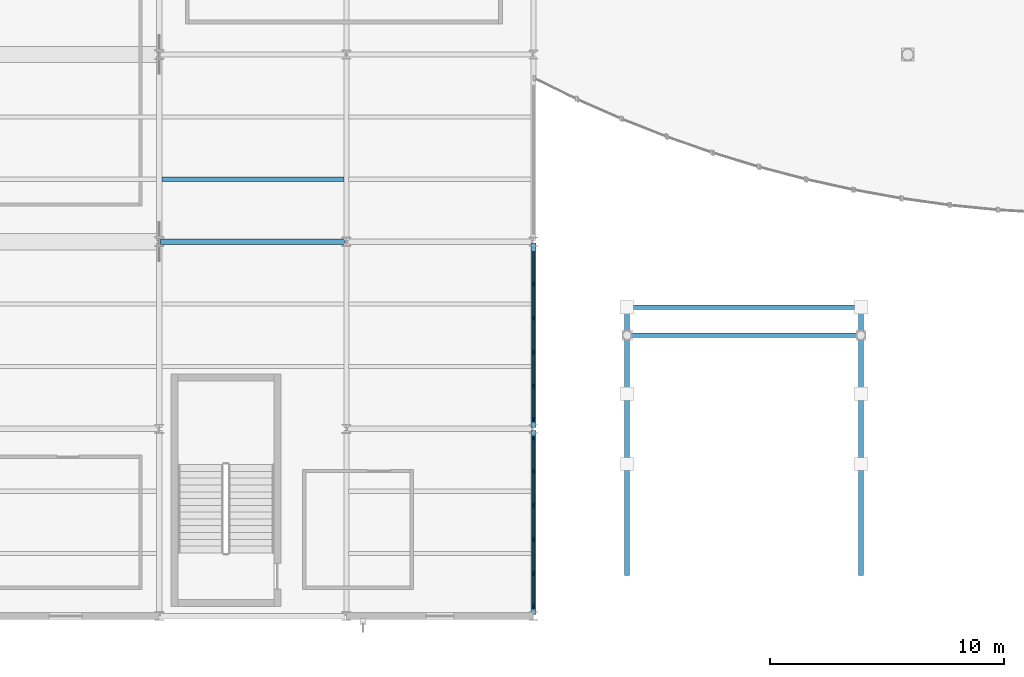
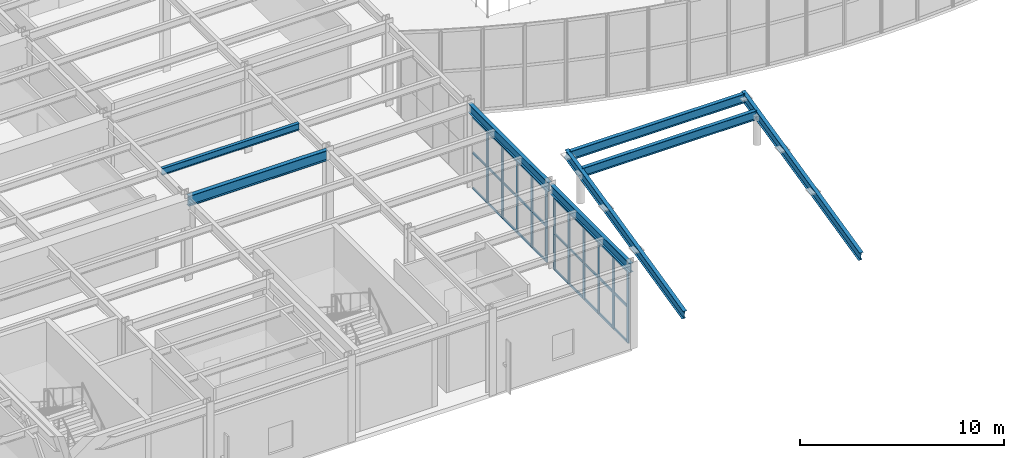
# One storey, part 22 of 77: 17 members, 8 beams, 2 elements without a shape of their own.
"""IFC4 building model written with IfcOpenShell, lengths in metres."""

from ifc_helpers import new_model, si_unit, direction, frame, origin, origin_2d, place, context, subcontext, project, spatial, rectangle, i_section, extrude, material, material_profile, profile_set, type_object, element, aggregate, save


model = new_model("IFC4")

# Units and contexts
model_context = context("Model", 3, precision=1e-05, world=origin(), true_north=direction((0.0, 1.0)))
body_context = subcontext(model_context, "Body", "Model", "MODEL_VIEW")
ifc_project = project(units=[si_unit("LENGTHUNIT", "METRE"), si_unit("AREAUNIT", "SQUARE_METRE"), si_unit("VOLUMEUNIT", "CUBIC_METRE"), si_unit("PLANEANGLEUNIT", "RADIAN"), si_unit("MASSUNIT", "GRAM", prefix="KILO")], contexts=[model_context])

# Site, building, storey
site_placement = place(None, origin())
site = spatial("IfcSite", under=ifc_project, at=site_placement, CompositionType="ELEMENT")
building_placement = place(site_placement, origin())
building = spatial("IfcBuilding", under=site, at=building_placement, Name="Drelvath Fold Interchange", CompositionType="ELEMENT")
storey_placement = place(building_placement, frame((0.0, 0.0, 6.0)))
storey = spatial("IfcBuildingStorey", under=building, at=storey_placement, Name="L01", CompositionType="ELEMENT", Elevation=6.0)

# Beams
ifc_material_1 = material(Name="Steel ASTM A992 Grade 50", Category="steel")
ifc_material_profile_1 = material_profile(ifc_material_1, i_section(OverallWidth=0.177978515625, OverallDepth=0.403076171875, WebThickness=0.007568359375, FlangeThickness=0.010986328125, at=origin_2d()), Name="W16X36")
ifc_profile_set_1 = profile_set([ifc_material_profile_1], Name="Steel ASTM A992 Grade 50")
beam_type_1 = type_object("IfcBeamType", Name="BM-W16X36", PredefinedType="JOIST", material=ifc_profile_set_1)
beam_1_placement = place(storey_placement, frame((36.113037109375, 21.6669921875, 4.748046875), z_axis=(1.0, 0.0, 0.0), x_axis=(0.0, 1.0, 0.0)))
element("IfcBeam", 1, at=beam_1_placement, inside=storey, type_object=beam_type_1, Name="L01 Secondary floor joist BM-W16X36", PredefinedType="JOIST", context=body_context, shape_type="SweptSolid", body=[
    extrude(i_section(OverallWidth=0.177978515625, OverallDepth=0.403076171875, WebThickness=0.007568359375, FlangeThickness=0.010986328125, at=origin_2d()), origin(), (0.0, 0.0, 1.0), 7.783935546875),
])
ifc_material_profile_2 = material_profile(ifc_material_1, i_section(OverallWidth=0.2099609375, OverallDepth=0.537109375, WebThickness=0.010986328125, FlangeThickness=0.017333984375, at=origin_2d()), Name="W21X68")
ifc_profile_set_2 = profile_set([ifc_material_profile_2], Name="Steel ASTM A992 Grade 50")
beam_type_2 = type_object("IfcBeamType", Name="BM-W21X68", PredefinedType="SPANDREL", material=ifc_profile_set_2)
for number, where, z_axis, x_axis, name in (
    (2, (52.0, 3.06005859375, 4.680908203125), (0.0, 1.0, 0.0), (-1.0, 0.0, 0.0), "L01 Primary Y girder BM-W21X68"),
    (3, (52.0, 11.06005859375, 4.680908203125), (0.0, 1.0, 0.0), (-1.0, 0.0, 0.0), "L01 Primary Y girder BM-W21X68"),
):
    element("IfcBeam", number, at=place(storey_placement, frame(where, z_axis=z_axis, x_axis=x_axis)), inside=storey, type_object=beam_type_2, Name=name, PredefinedType="SPANDREL", context=body_context, shape_type="SweptSolid", body=[
        extrude(i_section(OverallWidth=0.2099609375, OverallDepth=0.537109375, WebThickness=0.010986328125, FlangeThickness=0.017333984375, at=origin_2d()), origin(), (0.0, 0.0, 1.0), 7.8798828125),
    ])
for number, where, z_axis, x_axis, name in (
    (4, (56.0, 4.800048828125, -0.587890625), (0.0, 0.9743711452, 0.224946374502), (-1.0, 0.0, 0.0), "Forecourt entrance canopy rafter"),
    (5, (66.0, 4.800048828125, -0.587890625), (0.0, 0.9743711452, 0.224946374502), (-1.0, 0.0, 0.0), "Forecourt entrance canopy rafter"),
):
    element("IfcBeam", number, at=place(storey_placement, frame(where, z_axis=z_axis, x_axis=x_axis)), inside=storey, type_object=beam_type_2, Name=name, PredefinedType="SPANDREL", context=body_context, shape_type="SweptSolid", body=[
        extrude(i_section(OverallWidth=0.2099609375, OverallDepth=0.537109375, WebThickness=0.010986328125, FlangeThickness=0.017333984375, at=origin_2d()), origin(), (0.0, 0.0, 1.0), 11.905029296875),
    ])
for number, where, z_axis, x_axis, name in (
    (6, (56.050048828125, 15.0, 1.76708984375), (1.0, 0.0, 0.0), (0.0, 1.0, 0.0), "L01 Forecourt canopy tie beam BM-W21X68"),
    (7, (56.050048828125, 16.199951171875, 2.04296875), (1.0, 0.0, 0.0), (0.0, 1.0, 0.0), "L01 Forecourt canopy north eave beam BM-W21X68"),
):
    element("IfcBeam", number, at=place(storey_placement, frame(where, z_axis=z_axis, x_axis=x_axis)), inside=storey, type_object=beam_type_2, Name=name, PredefinedType="SPANDREL", context=body_context, shape_type="SweptSolid", body=[
        extrude(i_section(OverallWidth=0.2099609375, OverallDepth=0.537109375, WebThickness=0.010986328125, FlangeThickness=0.017333984375, at=origin_2d()), origin(), (0.0, 0.0, 1.0), 9.89990234375),
    ])
ifc_material_profile_3 = material_profile(ifc_material_1, i_section(OverallWidth=0.22998046875, OverallDepth=0.616943359375, WebThickness=0.01318359375, FlangeThickness=0.022216796875, at=origin_2d()), Name="W24X94")
ifc_profile_set_3 = profile_set([ifc_material_profile_3], Name="Steel ASTM A992 Grade 50")
beam_type_3 = type_object("IfcBeamType", Name="BM-W24X94", PredefinedType="BEAM", material=ifc_profile_set_3)
beam_2_placement = place(storey_placement, frame((36.06005859375, 19.0, 4.64111328125), z_axis=(1.0, 0.0, 0.0), x_axis=(0.0, 1.0, 0.0)))
element("IfcBeam", 8, at=beam_2_placement, inside=storey, type_object=beam_type_3, Name="L01 Primary X girder BM-W24X94", PredefinedType="BEAM", context=body_context, shape_type="SweptSolid", body=[
    extrude(i_section(OverallWidth=0.22998046875, OverallDepth=0.616943359375, WebThickness=0.01318359375, FlangeThickness=0.022216796875, at=origin_2d()), origin(), (0.0, 0.0, 1.0), 7.8798828125),
])

# Curtain wall, members
ifc_material_2 = material(Name="Anodized Aluminium 6063-T6", Category="aluminium")
curtain_wall_type = type_object("IfcCurtainWallType", Name="CW-OPS-UPP", PredefinedType="USERDEFINED", material=ifc_material_2)
curtain_wall_1_placement = place(storey_placement, origin())
curtain_wall_1 = element("IfcCurtainWall", 9, at=curtain_wall_1_placement, inside=storey, type_object=curtain_wall_type, Name="Curtain wall CW-V5-L01-E3", ObjectType="UNITISED CURTAIN WALL", PredefinedType="USERDEFINED")
ifc_material_profile_4 = material_profile(ifc_material_2, rectangle(XDim=0.06005859375, YDim=0.175048828125, at=origin_2d()), Name="AL-M 60x175")
ifc_profile_set_4 = profile_set([ifc_material_profile_4], Name="Anodized Aluminium 6063-T6")
member_type_1 = type_object("IfcMemberType", Name="ML-175", PredefinedType="MULLION", material=ifc_profile_set_4)
member_1_placement = place(storey_placement, frame((52.0, 3.39990234375, 0.0), z_axis=(0.0, 0.0, 1.0), x_axis=(1.0, 0.0, 0.0)))
member_1 = element("IfcMember", 10, at=member_1_placement, type_object=member_type_1, Name="CW-V5-L01-E3 mullion 0", PredefinedType="MULLION", context=body_context, shape_type="SweptSolid", body=[
    extrude(rectangle(XDim=0.06005859375, YDim=0.175048828125, at=origin_2d()), origin(), (0.0, 0.0, 1.0), 4.300048828125),
])
member_2_placement = place(storey_placement, frame((52.0, 4.81591796875, 0.0), z_axis=(0.0, 0.0, 1.0), x_axis=(1.0, 0.0, 0.0)))
member_2 = element("IfcMember", 11, at=member_2_placement, type_object=member_type_1, Name="CW-V5-L01-E3 mullion 1", PredefinedType="MULLION", context=body_context, shape_type="SweptSolid", body=[
    extrude(rectangle(XDim=0.06005859375, YDim=0.175048828125, at=origin_2d()), origin(), (0.0, 0.0, 1.0), 4.300048828125),
])
member_3_placement = place(storey_placement, frame((52.0, 6.27197265625, 0.0), z_axis=(0.0, 0.0, 1.0), x_axis=(1.0, 0.0, 0.0)))
member_3 = element("IfcMember", 12, at=member_3_placement, type_object=member_type_1, Name="CW-V5-L01-E3 mullion 2", PredefinedType="MULLION", context=body_context, shape_type="SweptSolid", body=[
    extrude(rectangle(XDim=0.06005859375, YDim=0.175048828125, at=origin_2d()), origin(), (0.0, 0.0, 1.0), 4.300048828125),
])
member_4_placement = place(storey_placement, frame((52.0, 7.72802734375, 0.0), z_axis=(0.0, 0.0, 1.0), x_axis=(1.0, 0.0, 0.0)))
member_4 = element("IfcMember", 13, at=member_4_placement, type_object=member_type_1, Name="CW-V5-L01-E3 mullion 3", PredefinedType="MULLION", context=body_context, shape_type="SweptSolid", body=[
    extrude(rectangle(XDim=0.06005859375, YDim=0.175048828125, at=origin_2d()), origin(), (0.0, 0.0, 1.0), 4.300048828125),
])
member_5_placement = place(storey_placement, frame((52.0, 9.18408203125, 0.0), z_axis=(0.0, 0.0, 1.0), x_axis=(1.0, 0.0, 0.0)))
member_5 = element("IfcMember", 14, at=member_5_placement, type_object=member_type_1, Name="CW-V5-L01-E3 mullion 4", PredefinedType="MULLION", context=body_context, shape_type="SweptSolid", body=[
    extrude(rectangle(XDim=0.06005859375, YDim=0.175048828125, at=origin_2d()), origin(), (0.0, 0.0, 1.0), 4.300048828125),
])
member_6_placement = place(storey_placement, frame((52.0, 10.60009765625, 0.0), z_axis=(0.0, 0.0, 1.0), x_axis=(1.0, 0.0, 0.0)))
member_6 = element("IfcMember", 15, at=member_6_placement, type_object=member_type_1, Name="CW-V5-L01-E3 mullion 5", PredefinedType="MULLION", context=body_context, shape_type="SweptSolid", body=[
    extrude(rectangle(XDim=0.06005859375, YDim=0.175048828125, at=origin_2d()), origin(), (0.0, 0.0, 1.0), 4.300048828125),
])

curtain_wall_2_placement = place(storey_placement, origin())
curtain_wall_2 = element("IfcCurtainWall", 16, at=curtain_wall_2_placement, inside=storey, type_object=curtain_wall_type, Name="Curtain wall CW-V5-L01-E11", ObjectType="UNITISED CURTAIN WALL", PredefinedType="USERDEFINED")
member_7_placement = place(storey_placement, frame((52.0, 11.39990234375, 0.0), z_axis=(0.0, 0.0, 1.0), x_axis=(1.0, 0.0, 0.0)))
member_7 = element("IfcMember", 17, at=member_7_placement, type_object=member_type_1, Name="CW-V5-L01-E11 mullion 0", PredefinedType="MULLION", context=body_context, shape_type="SweptSolid", body=[
    extrude(rectangle(XDim=0.06005859375, YDim=0.175048828125, at=origin_2d()), origin(), (0.0, 0.0, 1.0), 4.300048828125),
])
member_8_placement = place(storey_placement, frame((52.0, 12.81591796875, 0.0), z_axis=(0.0, 0.0, 1.0), x_axis=(1.0, 0.0, 0.0)))
member_8 = element("IfcMember", 18, at=member_8_placement, type_object=member_type_1, Name="CW-V5-L01-E11 mullion 1", PredefinedType="MULLION", context=body_context, shape_type="SweptSolid", body=[
    extrude(rectangle(XDim=0.06005859375, YDim=0.175048828125, at=origin_2d()), origin(), (0.0, 0.0, 1.0), 4.300048828125),
])
member_9_placement = place(storey_placement, frame((52.0, 14.27197265625, 0.0), z_axis=(0.0, 0.0, 1.0), x_axis=(1.0, 0.0, 0.0)))
member_9 = element("IfcMember", 19, at=member_9_placement, type_object=member_type_1, Name="CW-V5-L01-E11 mullion 2", PredefinedType="MULLION", context=body_context, shape_type="SweptSolid", body=[
    extrude(rectangle(XDim=0.06005859375, YDim=0.175048828125, at=origin_2d()), origin(), (0.0, 0.0, 1.0), 4.300048828125),
])
member_10_placement = place(storey_placement, frame((52.0, 15.72802734375, 0.0), z_axis=(0.0, 0.0, 1.0), x_axis=(1.0, 0.0, 0.0)))
member_10 = element("IfcMember", 20, at=member_10_placement, type_object=member_type_1, Name="CW-V5-L01-E11 mullion 3", PredefinedType="MULLION", context=body_context, shape_type="SweptSolid", body=[
    extrude(rectangle(XDim=0.06005859375, YDim=0.175048828125, at=origin_2d()), origin(), (0.0, 0.0, 1.0), 4.300048828125),
])
member_11_placement = place(storey_placement, frame((52.0, 17.18408203125, 0.0), z_axis=(0.0, 0.0, 1.0), x_axis=(1.0, 0.0, 0.0)))
member_11 = element("IfcMember", 21, at=member_11_placement, type_object=member_type_1, Name="CW-V5-L01-E11 mullion 4", PredefinedType="MULLION", context=body_context, shape_type="SweptSolid", body=[
    extrude(rectangle(XDim=0.06005859375, YDim=0.175048828125, at=origin_2d()), origin(), (0.0, 0.0, 1.0), 4.300048828125),
])

# Member
ifc_material_profile_5 = material_profile(ifc_material_2, rectangle(XDim=0.06005859375, YDim=0.139892578125, at=origin_2d()), Name="AL-T 60x140")
ifc_profile_set_5 = profile_set([ifc_material_profile_5], Name="Anodized Aluminium 6063-T6")
member_type_2 = type_object("IfcMemberType", Name="TR-140", PredefinedType="USERDEFINED", material=ifc_profile_set_5)
member_12_placement = place(storey_placement, frame((52.0, 3.39990234375, 0.030029296875), z_axis=(0.0, 1.0, 0.0), x_axis=(-1.0, 0.0, 0.0)))
member_12 = element("IfcMember", 22, at=member_12_placement, type_object=member_type_2, Name="CW-V5-L01-E3 transom 0", ObjectType="TRANSOM", PredefinedType="USERDEFINED", context=body_context, shape_type="SweptSolid", body=[
    extrude(rectangle(XDim=0.06005859375, YDim=0.139892578125, at=origin_2d()), origin(), (0.0, 0.0, 1.0), 7.2001953125),
])

member_13_placement = place(storey_placement, frame((52.0, 3.39990234375, 2.14990234375), z_axis=(0.0, 1.0, 0.0), x_axis=(-1.0, 0.0, 0.0)))
member_13 = element("IfcMember", 23, at=member_13_placement, type_object=member_type_2, Name="CW-V5-L01-E3 transom 1", ObjectType="TRANSOM", PredefinedType="USERDEFINED", context=body_context, shape_type="SweptSolid", body=[
    extrude(rectangle(XDim=0.06005859375, YDim=0.139892578125, at=origin_2d()), origin(), (0.0, 0.0, 1.0), 7.2001953125),
])

member_14_placement = place(storey_placement, frame((52.0, 3.39990234375, 4.27001953125), z_axis=(0.0, 1.0, 0.0), x_axis=(-1.0, 0.0, 0.0)))
member_14 = element("IfcMember", 24, at=member_14_placement, type_object=member_type_2, Name="CW-V5-L01-E3 transom 2", ObjectType="TRANSOM", PredefinedType="USERDEFINED", context=body_context, shape_type="SweptSolid", body=[
    extrude(rectangle(XDim=0.06005859375, YDim=0.139892578125, at=origin_2d()), origin(), (0.0, 0.0, 1.0), 7.2001953125),
])

aggregate(curtain_wall_1, [member_1, member_2, member_3, member_4, member_5, member_6, member_12, member_13, member_14])

member_15_placement = place(storey_placement, frame((52.0, 11.39990234375, 0.030029296875), z_axis=(0.0, 1.0, 0.0), x_axis=(-1.0, 0.0, 0.0)))
member_15 = element("IfcMember", 25, at=member_15_placement, type_object=member_type_2, Name="CW-V5-L01-E11 transom 0", ObjectType="TRANSOM", PredefinedType="USERDEFINED", context=body_context, shape_type="SweptSolid", body=[
    extrude(rectangle(XDim=0.06005859375, YDim=0.139892578125, at=origin_2d()), origin(), (0.0, 0.0, 1.0), 7.2001953125),
])

member_16_placement = place(storey_placement, frame((52.0, 11.39990234375, 2.14990234375), z_axis=(0.0, 1.0, 0.0), x_axis=(-1.0, 0.0, 0.0)))
member_16 = element("IfcMember", 26, at=member_16_placement, type_object=member_type_2, Name="CW-V5-L01-E11 transom 1", ObjectType="TRANSOM", PredefinedType="USERDEFINED", context=body_context, shape_type="SweptSolid", body=[
    extrude(rectangle(XDim=0.06005859375, YDim=0.139892578125, at=origin_2d()), origin(), (0.0, 0.0, 1.0), 7.2001953125),
])

member_17_placement = place(storey_placement, frame((52.0, 11.39990234375, 4.27001953125), z_axis=(0.0, 1.0, 0.0), x_axis=(-1.0, 0.0, 0.0)))
member_17 = element("IfcMember", 27, at=member_17_placement, type_object=member_type_2, Name="CW-V5-L01-E11 transom 2", ObjectType="TRANSOM", PredefinedType="USERDEFINED", context=body_context, shape_type="SweptSolid", body=[
    extrude(rectangle(XDim=0.06005859375, YDim=0.139892578125, at=origin_2d()), origin(), (0.0, 0.0, 1.0), 7.2001953125),
])

aggregate(curtain_wall_2, [member_7, member_8, member_9, member_10, member_11, member_15, member_16, member_17])

save(model, "model.ifc")
